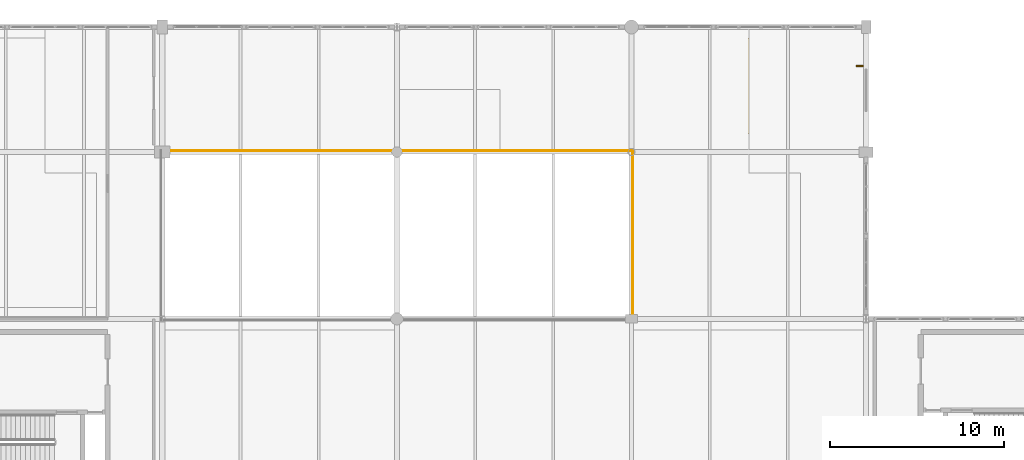
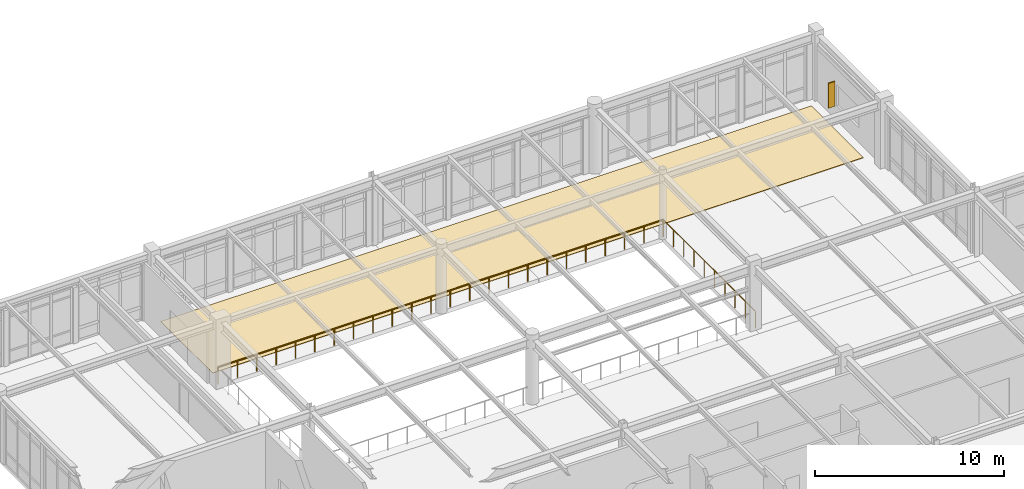
# One storey, part 60 of 61: 2 railings, 1 covering, 1 shading device.
"""IFC4 building model written with IfcOpenShell, lengths in metres."""

from ifc_helpers import new_model, si_unit, direction, frame, origin, origin_2d, place, context, subcontext, project, spatial, polyline, rectangle, circle, outline, extrude, material, layer, layer_set, type_object, element, save


model = new_model("IFC4")

# Units and contexts
model_context = context("Model", 3, precision=1e-05, world=origin(), true_north=direction((0.0, 1.0)))
body_context = subcontext(model_context, "Body", "Model", "MODEL_VIEW")
ifc_project = project(units=[si_unit("LENGTHUNIT", "METRE"), si_unit("AREAUNIT", "SQUARE_METRE"), si_unit("VOLUMEUNIT", "CUBIC_METRE"), si_unit("PLANEANGLEUNIT", "RADIAN"), si_unit("MASSUNIT", "GRAM", prefix="KILO")], contexts=[model_context])

# Site, building, storey
site_placement = place(None, origin())
site = spatial("IfcSite", under=ifc_project, at=site_placement, CompositionType="ELEMENT")
building_placement = place(site_placement, origin())
building = spatial("IfcBuilding", under=site, at=building_placement, Name="Fikremerkos Civic Library", CompositionType="ELEMENT")
storey_placement = place(building_placement, frame((0.0, 0.0, 14.39990234375)))
storey = spatial("IfcBuildingStorey", under=building, at=storey_placement, Name="L03", CompositionType="ELEMENT", Elevation=14.39990234375)

# Railings
ifc_material_1 = material(Name="Painted Steel S275", Category="steel")
railing_type = type_object("IfcRailingType", Name="Interior balustrade guard RLG-INT 1100", PredefinedType="BALUSTRADE", material=ifc_material_1)
railing_1_placement = place(storey_placement, frame((59.6201171875, 40.8798828125, 0.0)))
element("IfcRailing", 1, at=railing_1_placement, inside=storey, type_object=railing_type, Name="Atrium void balustrade guard L03 N", PredefinedType="BALUSTRADE", context=body_context, shape_type="SweptSolid", body=[
    extrude(circle(Radius=0.02392578125, at=origin_2d()), frame((0.0, 0.0, 1.076171875), z_axis=(1.0, 0.0, 0.0), x_axis=(0.0, 1.0, 0.0)), (0.0, 0.0, 1.0), 27.159912109375),
    extrude(circle(Radius=0.02099609375, at=origin_2d()), origin(), (0.0, 0.0, 1.0), 1.052001953125),
    extrude(circle(Radius=0.02099609375, at=origin_2d()), frame((1.180908203125, 0.0, 0.0)), (0.0, 0.0, 1.0), 1.052001953125),
    extrude(circle(Radius=0.02099609375, at=origin_2d()), frame((2.36181640625, 0.0, 0.0)), (0.0, 0.0, 1.0), 1.052001953125),
    extrude(circle(Radius=0.02099609375, at=origin_2d()), frame((3.54248046875, 0.0, 0.0)), (0.0, 0.0, 1.0), 1.052001953125),
    extrude(circle(Radius=0.02099609375, at=origin_2d()), frame((4.723388671875, 0.0, 0.0)), (0.0, 0.0, 1.0), 1.052001953125),
    extrude(circle(Radius=0.02099609375, at=origin_2d()), frame((5.904296875, 0.0, 0.0)), (0.0, 0.0, 1.0), 1.052001953125),
    extrude(circle(Radius=0.02099609375, at=origin_2d()), frame((7.085205078125, 0.0, 0.0)), (0.0, 0.0, 1.0), 1.052001953125),
    extrude(circle(Radius=0.02099609375, at=origin_2d()), frame((8.26611328125, 0.0, 0.0)), (0.0, 0.0, 1.0), 1.052001953125),
    extrude(circle(Radius=0.02099609375, at=origin_2d()), frame((9.447021484375, 0.0, 0.0)), (0.0, 0.0, 1.0), 1.052001953125),
    extrude(circle(Radius=0.02099609375, at=origin_2d()), frame((10.627685546875, 0.0, 0.0)), (0.0, 0.0, 1.0), 1.052001953125),
    extrude(circle(Radius=0.02099609375, at=origin_2d()), frame((11.80859375, 0.0, 0.0)), (0.0, 0.0, 1.0), 1.052001953125),
    extrude(circle(Radius=0.02099609375, at=origin_2d()), frame((12.989501953125, 0.0, 0.0)), (0.0, 0.0, 1.0), 1.052001953125),
    extrude(circle(Radius=0.02099609375, at=origin_2d()), frame((14.17041015625, 0.0, 0.0)), (0.0, 0.0, 1.0), 1.052001953125),
    extrude(circle(Radius=0.02099609375, at=origin_2d()), frame((15.351318359375, 0.0, 0.0)), (0.0, 0.0, 1.0), 1.052001953125),
    extrude(circle(Radius=0.02099609375, at=origin_2d()), frame((16.5322265625, 0.0, 0.0)), (0.0, 0.0, 1.0), 1.052001953125),
    extrude(circle(Radius=0.02099609375, at=origin_2d()), frame((17.712890625, 0.0, 0.0)), (0.0, 0.0, 1.0), 1.052001953125),
    extrude(circle(Radius=0.02099609375, at=origin_2d()), frame((18.893798828125, 0.0, 0.0)), (0.0, 0.0, 1.0), 1.052001953125),
    extrude(circle(Radius=0.02099609375, at=origin_2d()), frame((20.07470703125, 0.0, 0.0)), (0.0, 0.0, 1.0), 1.052001953125),
    extrude(circle(Radius=0.02099609375, at=origin_2d()), frame((21.255615234375, 0.0, 0.0)), (0.0, 0.0, 1.0), 1.052001953125),
    extrude(circle(Radius=0.02099609375, at=origin_2d()), frame((22.4365234375, 0.0, 0.0)), (0.0, 0.0, 1.0), 1.052001953125),
    extrude(circle(Radius=0.02099609375, at=origin_2d()), frame((23.617431640625, 0.0, 0.0)), (0.0, 0.0, 1.0), 1.052001953125),
    extrude(circle(Radius=0.02099609375, at=origin_2d()), frame((24.798095703125, 0.0, 0.0)), (0.0, 0.0, 1.0), 1.052001953125),
    extrude(circle(Radius=0.02099609375, at=origin_2d()), frame((25.97900390625, 0.0, 0.0)), (0.0, 0.0, 1.0), 1.052001953125),
    extrude(circle(Radius=0.02099609375, at=origin_2d()), frame((27.159912109375, 0.0, 0.0)), (0.0, 0.0, 1.0), 1.052001953125),
])
railing_2_placement = place(storey_placement, frame((86.780029296875, 31.1201171875, 0.0)))
element("IfcRailing", 2, at=railing_2_placement, inside=storey, type_object=railing_type, Name="Atrium void balustrade guard L03 E", PredefinedType="BALUSTRADE", context=body_context, shape_type="SweptSolid", body=[
    extrude(circle(Radius=0.02392578125, at=origin_2d()), frame((0.0, 0.0, 1.076171875), z_axis=(0.0, 1.0, 0.0), x_axis=(-1.0, 0.0, 0.0)), (0.0, 0.0, 1.0), 9.759765625),
    extrude(circle(Radius=0.02099609375, at=origin_2d()), origin(), (0.0, 0.0, 1.0), 1.052001953125),
    extrude(circle(Radius=0.02099609375, at=origin_2d()), frame((0.0, 1.08447265625, 0.0)), (0.0, 0.0, 1.0), 1.052001953125),
    extrude(circle(Radius=0.02099609375, at=origin_2d()), frame((0.0, 2.1689453125, 0.0)), (0.0, 0.0, 1.0), 1.052001953125),
    extrude(circle(Radius=0.02099609375, at=origin_2d()), frame((0.0, 3.253173828125, 0.0)), (0.0, 0.0, 1.0), 1.052001953125),
    extrude(circle(Radius=0.02099609375, at=origin_2d()), frame((0.0, 4.337646484375, 0.0)), (0.0, 0.0, 1.0), 1.052001953125),
    extrude(circle(Radius=0.02099609375, at=origin_2d()), frame((0.0, 5.422119140625, 0.0)), (0.0, 0.0, 1.0), 1.052001953125),
    extrude(circle(Radius=0.02099609375, at=origin_2d()), frame((0.0, 6.506591796875, 0.0)), (0.0, 0.0, 1.0), 1.052001953125),
    extrude(circle(Radius=0.02099609375, at=origin_2d()), frame((0.0, 7.5908203125, 0.0)), (0.0, 0.0, 1.0), 1.052001953125),
    extrude(circle(Radius=0.02099609375, at=origin_2d()), frame((0.0, 8.67529296875, 0.0)), (0.0, 0.0, 1.0), 1.052001953125),
    extrude(circle(Radius=0.02099609375, at=origin_2d()), frame((0.0, 9.759765625, 0.0)), (0.0, 0.0, 1.0), 1.052001953125),
])

# Shading device
ifc_material_2 = material(Name="Bronze anodized aluminium", Category="aluminium")
shading_device_type = type_object("IfcShadingDeviceType", Name="Perforated bronze vertical solar fin SHD-02", PredefinedType="USERDEFINED", material=ifc_material_2)
shading_device_placement = place(storey_placement, frame((99.85009765625, 45.742431640625, 0.824951171875), z_axis=(0.0, 0.0, 1.0), x_axis=(0.0, 1.0, 0.0)))
element("IfcShadingDevice", 3, at=shading_device_placement, inside=storey, type_object=shading_device_type, Name="Vertical bronze solar fin SHD-02 L03 #53", ObjectType="SOLAR FIN", PredefinedType="USERDEFINED", context=body_context, shape_type="SweptSolid", body=[
    extrude(rectangle(XDim=0.080078125, YDim=0.39990234375, at=origin_2d()), origin(), (0.0, 0.0, 1.0), 1.60009765625),
])

# Covering
ifc_material_3 = material(Name="Polished basalt terrazzo", Category="masonry")
ifc_layer = layer(ifc_material_3, 0.030029296875, Name="Polished basalt terrazzo")
ifc_layer_set = layer_set([ifc_layer], Name="Polished basalt terrazzo")
covering_type = type_object("IfcCoveringType", Name="Polished basalt terrazzo flooring FLR-01", PredefinedType="FLOORING", material=ifc_layer_set)
covering_placement = place(storey_placement, origin())
element("IfcCovering", 4, at=covering_placement, inside=storey, type_object=covering_type, Name="Terrazzo floor finish Stepped Atrium Top Gallery L03", PredefinedType="FLOORING", context=body_context, shape_type="SweptSolid", body=[
    extrude(outline(polyline([(59.85009765625, 41.85009765625), (59.85009765625, 47.35009765625), (99.550048828125, 47.35009765625), (99.550048828125, 41.85009765625), (59.85009765625, 41.85009765625)])), origin(), (0.0, 0.0, 1.0), 0.030029296875),
])

save(model, "model.ifc")
